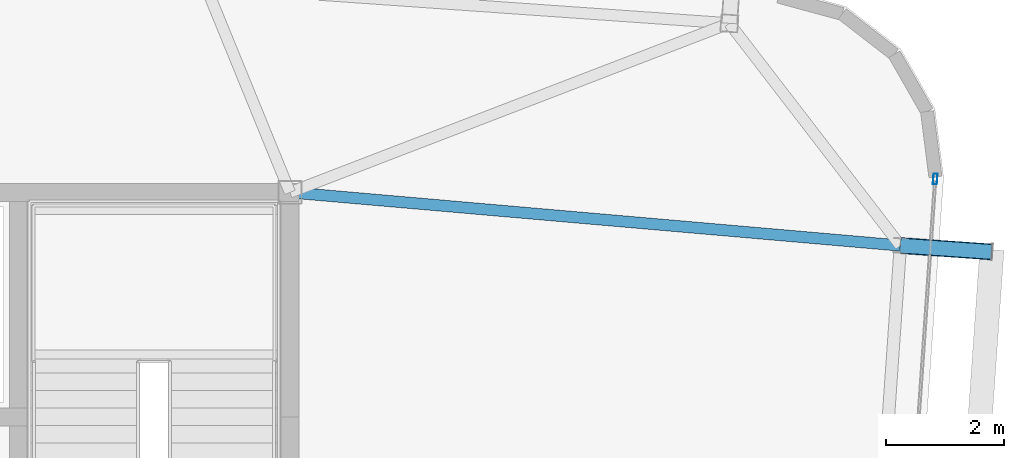
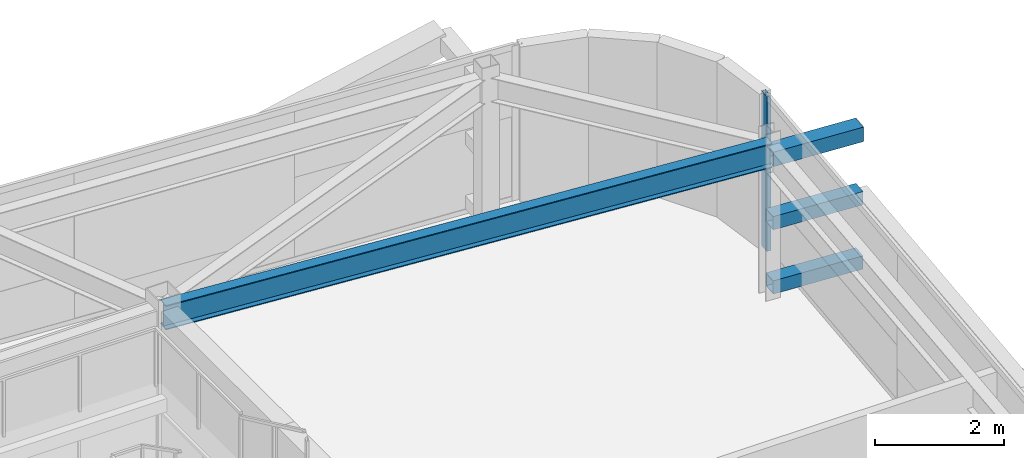
# One storey, part 18 of 39: 4 members, 1 beam, 1 element without a shape of its own.
"""IFC4 building model written with IfcOpenShell, lengths in metres."""

from ifc_helpers import new_model, si_unit, direction, frame, origin, origin_2d, place, context, subcontext, project, spatial, hollow_rectangle, i_section, extrude, source, transform, mapped, material, layer, layer_set, material_profile, profile_set, type_object, element, aggregate, save


model = new_model("IFC4")

# Units and contexts
model_context = context("Model", 3, precision=1e-05, world=origin(), true_north=direction((0.0, 1.0)))
body_context = subcontext(model_context, "Body", "Model", "MODEL_VIEW")
ifc_project = project(units=[si_unit("LENGTHUNIT", "METRE"), si_unit("AREAUNIT", "SQUARE_METRE"), si_unit("VOLUMEUNIT", "CUBIC_METRE"), si_unit("PLANEANGLEUNIT", "RADIAN"), si_unit("MASSUNIT", "GRAM", prefix="KILO")], contexts=[model_context])

# Site, building, storey
site_placement = place(None, origin())
site = spatial("IfcSite", under=ifc_project, at=site_placement, CompositionType="ELEMENT")
building_placement = place(site_placement, origin())
building = spatial("IfcBuilding", under=site, at=building_placement, Name="Taldren Reach Tower", CompositionType="ELEMENT")
storey_placement = place(building_placement, frame((0.0, 0.0, 126.699951171875)))
storey = spatial("IfcBuildingStorey", under=building, at=storey_placement, Name="L38", CompositionType="ELEMENT", Elevation=126.699951171875)

# Members
ifc_material_1 = material(Name="Steel Gr 450 (C450L0)", Category="steel")
ifc_material_profile_1 = material_profile(ifc_material_1, hollow_rectangle(XDim=0.27490234375, YDim=0.27490234375, WallThickness=0.00927734375, at=origin_2d()), Name="275x275x9.3SHS")
ifc_profile_set_1 = profile_set([ifc_material_profile_1], Name="Steel Gr 450 (C450L0)")
member_type_1 = type_object("IfcMemberType", Name="MB-TIE273", PredefinedType="STRUT", material=ifc_profile_set_1)
shared_shape_1 = source(origin(), body_context, "Body", "SweptSolid", [
    extrude(hollow_rectangle(XDim=0.27490234375, YDim=0.27490234375, WallThickness=0.00927734375, at=origin_2d()), origin(), (0.0, 0.0, 1.0), 1.550048828125),
])
member_1_placement = place(storey_placement, frame((61.3310546875, 31.1005859375, 2.650146484375), z_axis=(0.99756313426, -0.06976957191, 0.0), x_axis=(0.06976957191, 0.99756313426, 0.0)))
element("IfcMember", 1, at=member_1_placement, inside=storey, type_object=member_type_1, Name="Exoskeleton diaphragm tie strut B3-E3 L38", PredefinedType="STRUT", context=body_context, shape_type="MappedRepresentation", body=[
    mapped(shared_shape_1, transform((0.0, 0.0, 0.0), scale=1.0)),
])
ifc_material_2 = material(Name="Steel Gr 350 (C350L0)", Category="steel")
ifc_material_profile_2 = material_profile(ifc_material_2, hollow_rectangle(XDim=0.25, YDim=0.25, WallThickness=0.010009765625, at=origin_2d()), Name="250x250x10.0SHS")
ifc_profile_set_2 = profile_set([ifc_material_profile_2], Name="Steel Gr 350 (C350L0)")
member_type_2 = type_object("IfcMemberType", Name="MB-POST250", PredefinedType="POST", material=ifc_profile_set_2)
shared_shape_2 = source(origin(), body_context, "Body", "SweptSolid", [
    extrude(hollow_rectangle(XDim=0.25, YDim=0.25, WallThickness=0.010009765625, at=origin_2d()), origin(), (0.0, 0.0, 1.0), 1.550048828125),
])
for number, where, z_axis, x_axis, name in (
    (2, (61.3310546875, 31.1005859375, 0.219970703125), (0.99756313426, -0.06976957191, 0.0), (0.06976957191, 0.99756313426, 0.0), "Exoskeleton base diaphragm tie strut B3-E3 L38"),
    (3, (61.3310546875, 31.1005859375, 1.43505859375), (0.99756313426, -0.06976957191, 0.0), (0.06976957191, 0.99756313426, 0.0), "Exoskeleton mid-tier diaphragm tie B3-E3 L38"),
):
    element("IfcMember", number, at=place(storey_placement, frame(where, z_axis=z_axis, x_axis=x_axis)), inside=storey, type_object=member_type_2, Name=name, PredefinedType="POST", context=body_context, shape_type="MappedRepresentation", body=[
        mapped(shared_shape_2, transform((0.0, 0.0, 0.0), scale=1.0)),
    ])

# Beam
ifc_material_3 = material(Name="Steel Gr 350 (350PLUS)", Category="steel")
ifc_material_profile_3 = material_profile(ifc_material_3, i_section(OverallWidth=0.19091796875, OverallDepth=0.4599609375, WebThickness=0.010009765625, FlangeThickness=0.01611328125, at=origin_2d()), Name="460UB82.1")
ifc_profile_set_3 = profile_set([ifc_material_profile_3], Name="Steel Gr 350 (350PLUS)")
beam_type = type_object("IfcBeamType", Name="BM-UB460A", PredefinedType="BEAM", material=ifc_profile_set_3)
shared_shape_3 = source(origin(), body_context, "Body", "SweptSolid", [
    extrude(i_section(OverallWidth=0.19091796875, OverallDepth=0.4599609375, WebThickness=0.010009765625, FlangeThickness=0.01611328125, at=origin_2d()), origin(), (0.0, 0.0, 1.0), 10.3701171875),
])
beam_placement = place(storey_placement, frame((51.0, 32.0, 2.699951171875), z_axis=(0.996231748992, -0.086731207186, 0.0), x_axis=(0.086731207186, 0.996231748992, 0.0)))
element("IfcBeam", 4, at=beam_placement, inside=storey, type_object=beam_type, Name="Primary floor girder B3-E3 L38", PredefinedType="BEAM", context=body_context, shape_type="MappedRepresentation", body=[
    mapped(shared_shape_3, transform((0.0, 0.0, 0.0), scale=1.0)),
])

# Curtain wall, member
ifc_material_4 = material(Name="Aluminium and Low-E Glass Unitised System", Category="aluminium")
ifc_layer = layer(ifc_material_4, 0.159912109375)
ifc_layer_set = layer_set([ifc_layer], Name="Aluminium and Low-E Glass Unitised System")
curtain_wall_type = type_object("IfcCurtainWallType", Name="CW-SYS-4", PredefinedType="NOTDEFINED", material=ifc_layer_set)
curtain_wall_placement = place(storey_placement, origin())
curtain_wall = element("IfcCurtainWall", 5, at=curtain_wall_placement, inside=storey, type_object=curtain_wall_type, Name="Unitised curtain wall CW-L38-E", PredefinedType="NOTDEFINED")
ifc_material_5 = material(Name="Anodised Aluminium 6063-T6", Category="aluminium")
ifc_material_profile_4 = material_profile(ifc_material_5, hollow_rectangle(XDim=0.070068359375, YDim=0.179931640625, WallThickness=0.00390625, at=origin_2d()), Name="ALU-180x70x4RHS")
ifc_profile_set_4 = profile_set([ifc_material_profile_4], Name="Anodised Aluminium 6063-T6")
member_type_3 = type_object("IfcMemberType", Name="CW-MUL-180", PredefinedType="MULLION", material=ifc_profile_set_4)
shared_shape_4 = source(origin(), body_context, "Body", "SweptSolid", [
    extrude(hollow_rectangle(XDim=0.070068359375, YDim=0.179931640625, WallThickness=0.00390625, at=origin_2d()), origin(), (0.0, 0.0, 1.0), 2.929931640625),
])
member_2_placement = place(storey_placement, frame((61.921142578125, 32.22705078125, 0.0), z_axis=(0.0, 0.0, 1.0), x_axis=(-0.997564052812, 0.069756437251, 0.0)))
member_2 = element("IfcMember", 6, at=member_2_placement, type_object=member_type_3, Name="CW-4 mullion 3", PredefinedType="MULLION", context=body_context, shape_type="MappedRepresentation", body=[
    mapped(shared_shape_4, transform((0.0, 0.0, 0.0), scale=1.0)),
])
aggregate(curtain_wall, [member_2])

save(model, "model.ifc")
